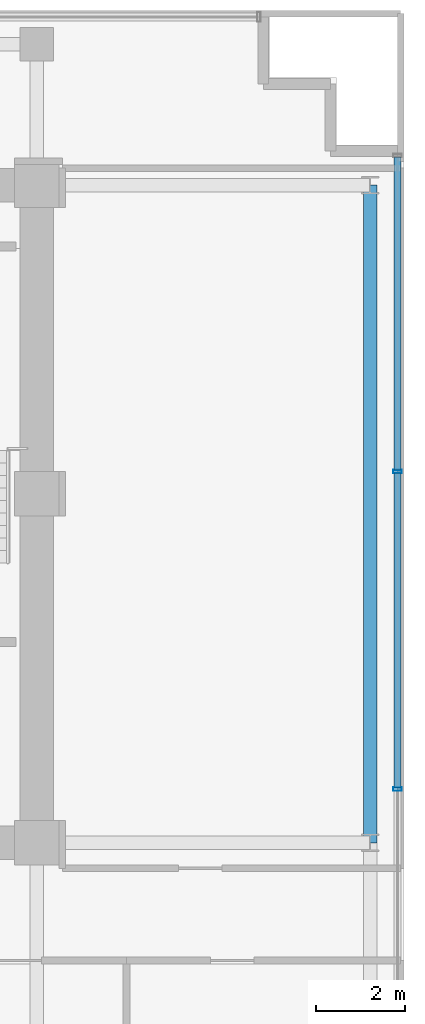
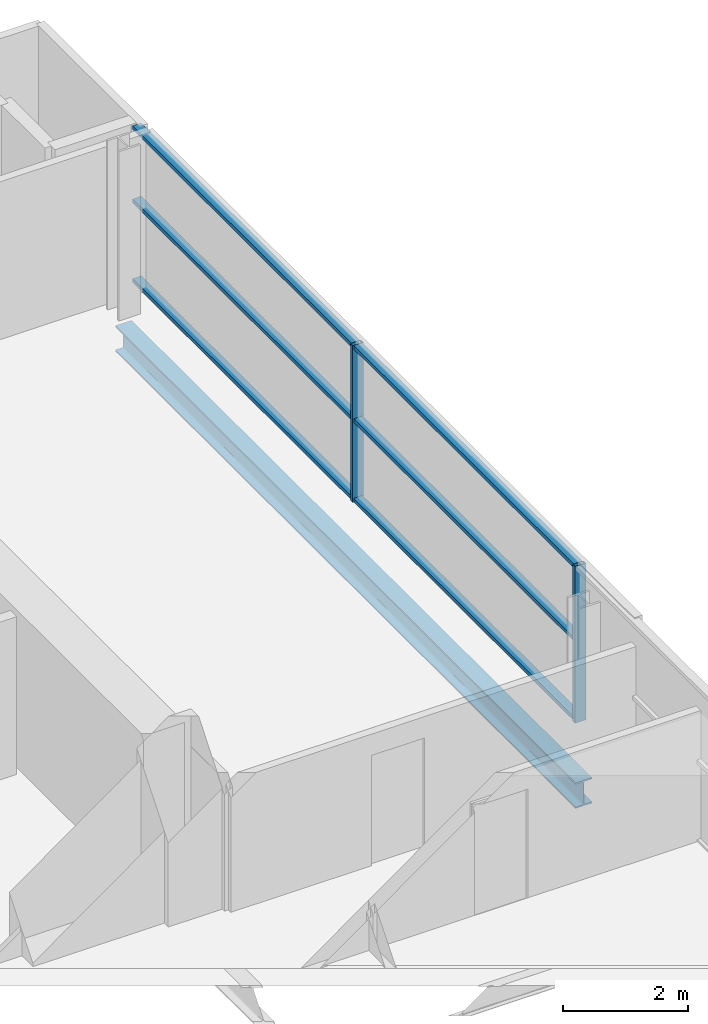
# One storey, part 8 of 21: 8 members, 1 beam, 1 element without a shape of its own.
"""IFC4 building model written with IfcOpenShell, lengths in metres."""

from ifc_helpers import new_model, si_unit, direction, frame, origin, origin_2d, place, context, subcontext, project, spatial, hollow_rectangle, i_section, extrude, source, transform, mapped, material, layer, layer_set, material_profile, profile_set, type_object, element, aggregate, save


model = new_model("IFC4")

# Units and contexts
model_context = context("Model", 3, precision=1e-05, world=origin(), true_north=direction((0.0, 1.0)))
body_context = subcontext(model_context, "Body", "Model", "MODEL_VIEW")
ifc_project = project(units=[si_unit("LENGTHUNIT", "METRE"), si_unit("AREAUNIT", "SQUARE_METRE"), si_unit("VOLUMEUNIT", "CUBIC_METRE"), si_unit("PLANEANGLEUNIT", "RADIAN"), si_unit("MASSUNIT", "GRAM", prefix="KILO")], contexts=[model_context])

# Site, building, storey
site_placement = place(None, origin())
site = spatial("IfcSite", under=ifc_project, at=site_placement, CompositionType="ELEMENT")
building_placement = place(site_placement, origin())
building = spatial("IfcBuilding", under=site, at=building_placement, Name="Zarnakvel Exchange Tower", CompositionType="ELEMENT")
storey_placement = place(building_placement, frame((0.0, 0.0, 152.800048828125)))
storey = spatial("IfcBuildingStorey", under=building, at=storey_placement, Name="L42", CompositionType="ELEMENT", Elevation=152.800048828125)

# Beam
ifc_material_1 = material(Name="Steel S355", Category="steel")
ifc_material_profile_1 = material_profile(ifc_material_1, i_section(OverallWidth=0.300048828125, OverallDepth=0.5, WebThickness=0.014404296875, FlangeThickness=0.028076171875, FilletRadius=0.027099609375, at=origin_2d()))
ifc_profile_set_1 = profile_set([ifc_material_profile_1], Name="Steel S355")
beam_type = type_object("IfcBeamType", Name="SP-02", PredefinedType="SPANDREL", material=ifc_profile_set_1)
beam_placement = place(storey_placement, frame((21.85009765625, -1.199951171875, -0.47509765625), z_axis=(0.0, 1.0, 0.0), x_axis=(-1.0, 0.0, 0.0)))
element("IfcBeam", 1, at=beam_placement, inside=storey, type_object=beam_type, Name="L42 Tower N-S Frame Beam", PredefinedType="SPANDREL", context=body_context, shape_type="SweptSolid", body=[
    extrude(i_section(OverallWidth=0.300048828125, OverallDepth=0.5, WebThickness=0.014404296875, FlangeThickness=0.028076171875, FilletRadius=0.027099609375, at=origin_2d()), origin(), (0.0, 0.0, 1.0), 14.699951171875),
])

# Curtain wall, members
ifc_material_2 = material(Name="Architectural Bronze Anodised Aluminium", Category="aluminium")
ifc_layer = layer(ifc_material_2, 0.199951171875)
ifc_layer_set = layer_set([ifc_layer], Name="Architectural Bronze Anodised Aluminium")
curtain_wall_type = type_object("IfcCurtainWallType", Name="CW-04", PredefinedType="NOTDEFINED", material=ifc_layer_set)
curtain_wall_placement = place(storey_placement, origin())
curtain_wall = element("IfcCurtainWall", 2, at=curtain_wall_placement, inside=storey, type_object=curtain_wall_type, Name="L42 Curtain Wall CW-L42-E1 (CW-04)", PredefinedType="NOTDEFINED")
ifc_material_profile_2 = material_profile(ifc_material_2, hollow_rectangle(XDim=0.199951171875, YDim=0.074951171875, WallThickness=0.0048828125, at=origin_2d()))
ifc_profile_set_2 = profile_set([ifc_material_profile_2], Name="Architectural Bronze Anodised Aluminium")
member_type_1 = type_object("IfcMemberType", Name="CWM-04", PredefinedType="MULLION", material=ifc_profile_set_2)
shared_shape_1 = source(origin(), body_context, "Body", "SweptSolid", [
    extrude(hollow_rectangle(XDim=0.199951171875, YDim=0.074951171875, WallThickness=0.0048828125, at=origin_2d()), origin(), (0.0, 0.0, 1.0), 3.054931640625),
])
member_1_placement = place(storey_placement, frame((22.4599609375, 0.0, 0.0), z_axis=(0.0, 0.0, 1.0), x_axis=(-1.0, 0.0, 0.0)))
member_1 = element("IfcMember", 3, at=member_1_placement, type_object=member_type_1, Name="CW-04 mullion 3", PredefinedType="MULLION", context=body_context, shape_type="MappedRepresentation", body=[
    mapped(shared_shape_1, transform((0.0, 0.0, 0.0), x_axis=(1.0, 0.0, 0.0), y_axis=(0.0, 1.0, 0.0), z_axis=(0.0, 0.0, 1.0), scale=1.0)),
])
member_2_placement = place(storey_placement, frame((22.4599609375, 7.10009765625, 0.0), z_axis=(0.0, 0.0, 1.0), x_axis=(-1.0, 0.0, 0.0)))
member_2 = element("IfcMember", 4, at=member_2_placement, type_object=member_type_1, Name="CW-04 mullion 4", PredefinedType="MULLION", context=body_context, shape_type="MappedRepresentation", body=[
    mapped(shared_shape_1, transform((0.0, 0.0, 0.0), x_axis=(1.0, 0.0, 0.0), y_axis=(0.0, 1.0, 0.0), z_axis=(0.0, 0.0, 1.0), scale=1.0)),
])
ifc_material_profile_3 = material_profile(ifc_material_2, hollow_rectangle(XDim=0.159912109375, YDim=0.074951171875, WallThickness=0.00390625, at=origin_2d()))
ifc_profile_set_3 = profile_set([ifc_material_profile_3], Name="Architectural Bronze Anodised Aluminium")
member_type_2 = type_object("IfcMemberType", Name="CWT-04", PredefinedType="USERDEFINED", material=ifc_profile_set_3)
shared_shape_2 = source(origin(), body_context, "Body", "SweptSolid", [
    extrude(hollow_rectangle(XDim=0.159912109375, YDim=0.074951171875, WallThickness=0.00390625, at=origin_2d()), origin(), (0.0, 0.0, 1.0), 6.987548828125),
])
member_3_placement = place(storey_placement, frame((22.4599609375, 7.137451171875, 0.037353515625), z_axis=(0.0, 1.0, 0.0), x_axis=(-1.0, 0.0, 0.0)))
member_3 = element("IfcMember", 5, at=member_3_placement, type_object=member_type_2, Name="CW-04 transom 4.1", ObjectType="TRANSOM", PredefinedType="USERDEFINED", context=body_context, shape_type="MappedRepresentation", body=[
    mapped(shared_shape_2, transform((0.0, 0.0, 0.0), x_axis=(1.0, 0.0, 0.0), y_axis=(0.0, 1.0, 0.0), z_axis=(0.0, 0.0, 1.0), scale=1.0)),
])
member_4_placement = place(storey_placement, frame((22.4599609375, 7.137451171875, 1.588623046875), z_axis=(0.0, 1.0, 0.0), x_axis=(-1.0, 0.0, 0.0)))
member_4 = element("IfcMember", 6, at=member_4_placement, type_object=member_type_2, Name="CW-04 transom 4.2", ObjectType="TRANSOM", PredefinedType="USERDEFINED", context=body_context, shape_type="MappedRepresentation", body=[
    mapped(shared_shape_2, transform((0.0, 0.0, 0.0), x_axis=(1.0, 0.0, 0.0), y_axis=(0.0, 1.0, 0.0), z_axis=(0.0, 0.0, 1.0), scale=1.0)),
])
member_5_placement = place(storey_placement, frame((22.4599609375, 7.137451171875, 3.017333984375), z_axis=(0.0, 1.0, 0.0), x_axis=(-1.0, 0.0, 0.0)))
member_5 = element("IfcMember", 7, at=member_5_placement, type_object=member_type_2, Name="CW-04 transom 4.3", ObjectType="TRANSOM", PredefinedType="USERDEFINED", context=body_context, shape_type="MappedRepresentation", body=[
    mapped(shared_shape_2, transform((0.0, 0.0, 0.0), x_axis=(1.0, 0.0, 0.0), y_axis=(0.0, 1.0, 0.0), z_axis=(0.0, 0.0, 1.0), scale=1.0)),
])
shared_shape_3 = source(origin(), body_context, "Body", "SweptSolid", [
    extrude(hollow_rectangle(XDim=0.159912109375, YDim=0.074951171875, WallThickness=0.00390625, at=origin_2d()), origin(), (0.0, 0.0, 1.0), 7.02490234375),
])
member_6_placement = place(storey_placement, frame((22.4599609375, 0.03759765625, 0.037353515625), z_axis=(0.0, 1.0, 0.0), x_axis=(-1.0, 0.0, 0.0)))
member_6 = element("IfcMember", 8, at=member_6_placement, type_object=member_type_2, Name="CW-04 transom 3.1", ObjectType="TRANSOM", PredefinedType="USERDEFINED", context=body_context, shape_type="MappedRepresentation", body=[
    mapped(shared_shape_3, transform((0.0, 0.0, 0.0), x_axis=(1.0, 0.0, 0.0), y_axis=(0.0, 1.0, 0.0), z_axis=(0.0, 0.0, 1.0), scale=1.0)),
])
member_7_placement = place(storey_placement, frame((22.4599609375, 0.03759765625, 1.588623046875), z_axis=(0.0, 1.0, 0.0), x_axis=(-1.0, 0.0, 0.0)))
member_7 = element("IfcMember", 9, at=member_7_placement, type_object=member_type_2, Name="CW-04 transom 3.2", ObjectType="TRANSOM", PredefinedType="USERDEFINED", context=body_context, shape_type="MappedRepresentation", body=[
    mapped(shared_shape_3, transform((0.0, 0.0, 0.0), x_axis=(1.0, 0.0, 0.0), y_axis=(0.0, 1.0, 0.0), z_axis=(0.0, 0.0, 1.0), scale=1.0)),
])
member_8_placement = place(storey_placement, frame((22.4599609375, 0.03759765625, 3.017333984375), z_axis=(0.0, 1.0, 0.0), x_axis=(-1.0, 0.0, 0.0)))
member_8 = element("IfcMember", 10, at=member_8_placement, type_object=member_type_2, Name="CW-04 transom 3.3", ObjectType="TRANSOM", PredefinedType="USERDEFINED", context=body_context, shape_type="MappedRepresentation", body=[
    mapped(shared_shape_3, transform((0.0, 0.0, 0.0), x_axis=(1.0, 0.0, 0.0), y_axis=(0.0, 1.0, 0.0), z_axis=(0.0, 0.0, 1.0), scale=1.0)),
])
aggregate(curtain_wall, [member_1, member_2, member_6, member_7, member_8, member_3, member_4, member_5])

save(model, "model.ifc")
